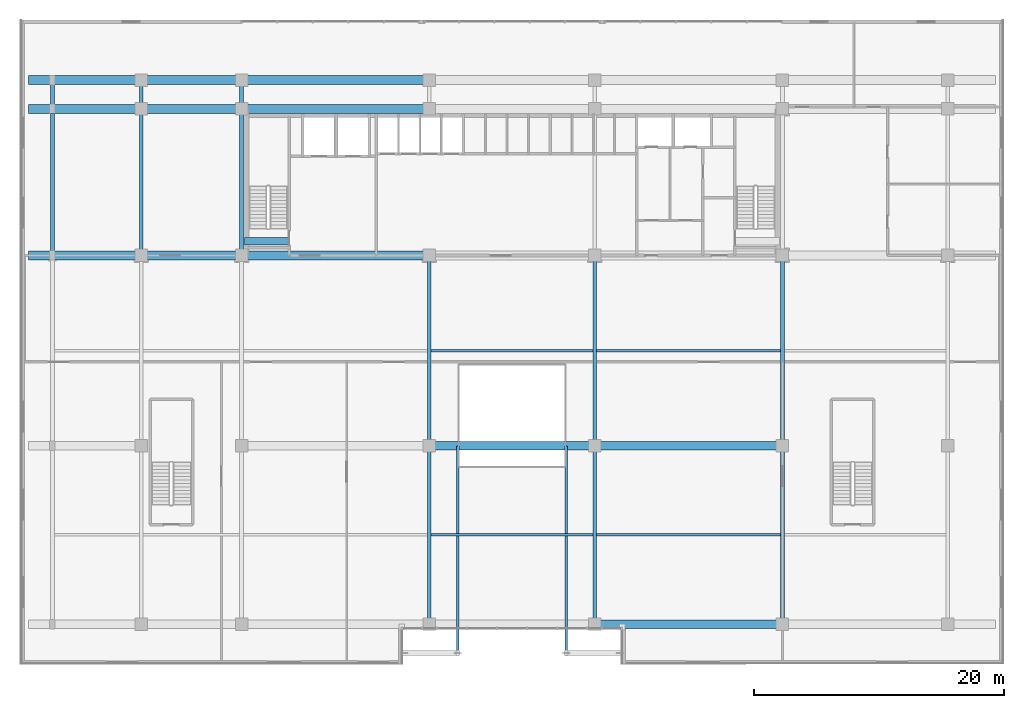
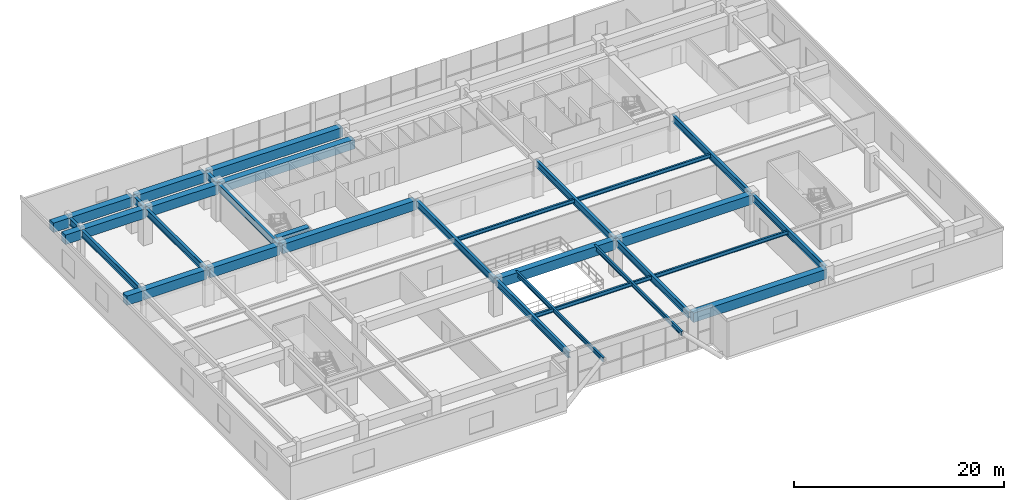
# One storey, part 5 of 21: 31 beams.
"""IFC4 building model written with IfcOpenShell, lengths in metres."""

import ifcopenshell
import ifcopenshell.guid

model = None  # the IFC model being written
_history = None  # IfcOwnerHistory: only IFC2X3 demands one
_inside = {}  # id of a spatial element -> (the spatial element, [elements in it])
_under = {}  # id of a project, library or spatial element -> (it, [spatial elements below it])
_declared = {}  # id of a project -> (the project, [libraries it declares])
_typed = {}  # id of a type object -> (the type object, [elements of that type])
_made_of = {}  # id of a material, layer set ... -> (it, [elements and type objects made of it])


def new_model(schema):
    """Start an empty IFC model of exactly this schema.

    Asked for "IFC4X3", IfcOpenShell would pick the latest addendum, in which some entities
    have other attributes; the version numbers below select the first issue.
    IFC2X3 requires an IfcOwnerHistory on every rooted entity: one is made here for all.
    """
    global model, _history
    if schema == "IFC4X3":
        model = ifcopenshell.file(schema_version=(4, 3, 0, 0))
    else:
        model = ifcopenshell.file(schema=schema)
    _inside.clear()
    _under.clear()
    _declared.clear()
    _typed.clear()
    _made_of.clear()
    _history = None
    if model.schema == "IFC2X3":
        org = make("IfcOrganization", Name="unknown")
        user = make(
            "IfcPersonAndOrganization",
            ThePerson=make("IfcPerson", FamilyName="unknown"),
            TheOrganization=org,
        )
        app = make(
            "IfcApplication",
            ApplicationDeveloper=org,
            Version="unknown",
            ApplicationFullName="unknown",
            ApplicationIdentifier="unknown",
        )
        _history = make(
            "IfcOwnerHistory",
            OwningUser=user,
            OwningApplication=app,
            ChangeAction="ADDED",
            CreationDate=0,
        )
    return model


def make(cls, **values):
    """One entity of the class cls with the attributes given. An attribute that is None is left unset."""
    return model.create_entity(
        cls, **{name: value for name, value in values.items() if value is not None}
    )


def rooted(cls, **values):
    """An entity with a GlobalId (a new one), such as an element, a storey or a relation."""
    return make(cls, GlobalId=ifcopenshell.guid.new(), OwnerHistory=_history, **values)


def si_unit(unit_type, name, prefix=None):
    """IfcSIUnit, for example si_unit("LENGTHUNIT", "METRE", prefix="MILLI")."""
    return make("IfcSIUnit", UnitType=unit_type, Prefix=prefix, Name=name)


def assignment(units):
    """IfcUnitAssignment: the units of a project."""
    return None if units is None else make("IfcUnitAssignment", Units=units)


def point(xyz):
    """IfcCartesianPoint."""
    return None if xyz is None else make("IfcCartesianPoint", Coordinates=xyz)


def direction(xyz):
    """IfcDirection."""
    return None if xyz is None else make("IfcDirection", DirectionRatios=xyz)


def frame(location, z_axis=None, x_axis=None):
    """IfcAxis2Placement3D, a coordinate frame: its origin and axes. An axis left out is left unset."""
    return make(
        "IfcAxis2Placement3D",
        Location=point(location),
        Axis=direction(z_axis),
        RefDirection=direction(x_axis),
    )


def frame_2d(location, x_axis=None):
    """IfcAxis2Placement2D, a coordinate frame in the plane: its origin and x axis."""
    return make(
        "IfcAxis2Placement2D", Location=point(location), RefDirection=direction(x_axis)
    )


def origin():
    """The frame at (0, 0, 0) with its axes left unset."""
    return frame((0.0, 0.0, 0.0))


def origin_2d():
    """The frame at (0, 0) in the plane with its x axis left unset."""
    return frame_2d((0.0, 0.0))


def place(relative_to, where):
    """IfcLocalPlacement: puts the frame where relative to a parent placement (None: the world)."""
    return make(
        "IfcLocalPlacement", PlacementRelTo=relative_to, RelativePlacement=where
    )


def context(
    kind, dimensions, precision=None, world=None, true_north=None, identifier=None
):
    """IfcGeometricRepresentationContext, for example the 3D "Model" context."""
    return make(
        "IfcGeometricRepresentationContext",
        ContextIdentifier=identifier,
        ContextType=kind,
        CoordinateSpaceDimension=dimensions,
        Precision=precision,
        WorldCoordinateSystem=world,
        TrueNorth=true_north,
    )


def subcontext(parent, identifier, kind, view, scale=None):
    """IfcGeometricRepresentationSubContext, for example "Body" below "Model"."""
    return make(
        "IfcGeometricRepresentationSubContext",
        ContextIdentifier=identifier,
        ContextType=kind,
        ParentContext=parent,
        TargetScale=scale,
        TargetView=view,
    )


def project(units=None, contexts=None):
    """IfcProject with its units and contexts."""
    return rooted(
        "IfcProject",
        Name="project",
        RepresentationContexts=contexts,
        UnitsInContext=assignment(units),
    )


def spatial(cls, under=None, at=None, **own):
    """A site, building, storey or space (cls), placed at a placement, below another one or the project."""
    s = rooted(cls, ObjectPlacement=at, **own)
    if under is not None:
        _under.setdefault(under.id(), (under, []))[1].append(s)
    return s


def profile(cls, at=None, kind="AREA", **sizes):
    """A parametric profile (cls). Its sizes go by their IFC names, for example OverallWidth=200.0."""
    return make(cls, ProfileType=kind, Position=at, **sizes)


def rectangle(**sizes):
    """IfcRectangleProfileDef."""
    return profile("IfcRectangleProfileDef", **sizes)


def i_section(**sizes):
    """IfcIShapeProfileDef."""
    return profile("IfcIShapeProfileDef", **sizes)


def extrude(swept, where, along, depth):
    """IfcExtrudedAreaSolid: the profile swept, set in the frame where, extruded along a direction by depth."""
    return make(
        "IfcExtrudedAreaSolid",
        SweptArea=swept,
        Position=where,
        ExtrudedDirection=direction(along),
        Depth=depth,
    )


def shape(context_of_items, identifier, shape_type, items):
    """IfcShapeRepresentation: the items that make up one representation, for example the "Body"."""
    return make(
        "IfcShapeRepresentation",
        ContextOfItems=context_of_items,
        RepresentationIdentifier=identifier,
        RepresentationType=shape_type,
        Items=items,
    )


def source(mapping_origin, context_of_items, identifier, shape_type, items):
    """IfcRepresentationMap: a shape defined once, which mapped items show again and again."""
    return make(
        "IfcRepresentationMap",
        MappingOrigin=mapping_origin,
        MappedRepresentation=shape(context_of_items, identifier, shape_type, items),
    )


def transform(
    local_origin,
    x_axis=None,
    y_axis=None,
    z_axis=None,
    scale=None,
    scale2=None,
    scale3=None,
    uniform=True,
):
    """IfcCartesianTransformationOperator3D, or its non-uniform kind. x_axis, y_axis, z_axis: its Axis1, 2, 3."""
    if uniform:
        return make(
            "IfcCartesianTransformationOperator3D",
            Axis1=direction(x_axis),
            Axis2=direction(y_axis),
            LocalOrigin=point(local_origin),
            Scale=scale,
            Axis3=direction(z_axis),
        )
    return make(
        "IfcCartesianTransformationOperator3DnonUniform",
        Axis1=direction(x_axis),
        Axis2=direction(y_axis),
        LocalOrigin=point(local_origin),
        Scale=scale,
        Axis3=direction(z_axis),
        Scale2=scale2,
        Scale3=scale3,
    )


def mapped(mapping_source, mapping_target):
    """IfcMappedItem: shows the shape of a source again, moved by a transform."""
    return make(
        "IfcMappedItem", MappingSource=mapping_source, MappingTarget=mapping_target
    )


def material(Name=None, Category=None):
    """IfcMaterial."""
    return make("IfcMaterial", Name=Name, Category=Category)


def material_profile(
    of_material, cross_section, Name=None, Category=None, Priority=None
):
    """IfcMaterialProfile: a cross section and its material."""
    return make(
        "IfcMaterialProfile",
        Name=Name,
        Material=of_material,
        Profile=cross_section,
        Priority=Priority,
        Category=Category,
    )


def profile_set(profiles, Name=None, composite=None):
    """IfcMaterialProfileSet."""
    return make(
        "IfcMaterialProfileSet",
        Name=Name,
        MaterialProfiles=profiles,
        CompositeProfile=composite,
    )


def made_of(thing, what):
    """Note that an element or type object is made of a material, layer set ...; save() writes the relation."""
    if what is not None:
        _made_of.setdefault(what.id(), (what, []))[1].append(thing)
    return thing


def type_object(cls, material=None, **own):
    """A type object (cls), such as IfcWallType, which elements share."""
    return made_of(rooted(cls, **own), material)


def element(
    cls,
    number,
    at=None,
    inside=None,
    cuts=None,
    type_object=None,
    material=None,
    context=None,
    identifier="Body",
    shape_type=None,
    held_by="IfcProductDefinitionShape",
    body=None,
    shapes=None,
    **own,
):
    """One element of the class cls, such as IfcWall. Its Tag is "e" and its number.

    at: its placement. inside: the storey or other place that contains it. cuts: it is an
    opening in that element (IfcRelVoidsElement). A single representation is given by context,
    identifier, shape_type and body (its items); several are given by shapes. held_by: the class
    of the entity that holds the representations. save() writes the other relations.
    """
    e = rooted(cls, Tag="e%d" % number, ObjectPlacement=at, **own)
    if body is not None:
        shapes = [shape(context, identifier, shape_type, body)]
    if shapes is not None:
        e.Representation = make(held_by, Representations=shapes)
    if inside is not None:
        _inside.setdefault(inside.id(), (inside, []))[1].append(e)
    if cuts is not None:
        rooted(
            "IfcRelVoidsElement", RelatingBuildingElement=cuts, RelatedOpeningElement=e
        )
    if type_object is not None:
        _typed.setdefault(type_object.id(), (type_object, []))[1].append(e)
    return made_of(e, material)


def aggregate(whole, parts):
    """IfcRelAggregates: a whole, such as a stair, and the parts it consists of."""
    return rooted("IfcRelAggregates", RelatingObject=whole, RelatedObjects=parts)


def save(model, path):
    """Write the relations noted so far, then the file.

    IfcRelAggregates (storeys below a building ...), IfcRelContainedInSpatialStructure (elements
    in a storey), IfcRelDefinesByType, IfcRelAssociatesMaterial and IfcRelDeclares: one each for
    every whole, place, type object, material and project.
    """
    for whole, parts in _under.values():
        aggregate(whole, parts)
    for where, things in _inside.values():
        rooted(
            "IfcRelContainedInSpatialStructure",
            RelatedElements=things,
            RelatingStructure=where,
        )
    for kind, things in _typed.values():
        rooted("IfcRelDefinesByType", RelatedObjects=things, RelatingType=kind)
    for what, things in _made_of.values():
        rooted("IfcRelAssociatesMaterial", RelatedObjects=things, RelatingMaterial=what)
    for by, libraries in _declared.values():
        rooted("IfcRelDeclares", RelatingContext=by, RelatedDefinitions=libraries)
    model.write(path)


model = new_model("IFC4")

# Units and contexts
model_context = context("Model", 3, precision=1e-05, world=origin(), true_north=direction((0.0, 1.0)))
body_context = subcontext(model_context, "Body", "Model", "MODEL_VIEW")
ifc_project = project(units=[si_unit("LENGTHUNIT", "METRE"), si_unit("AREAUNIT", "SQUARE_METRE"), si_unit("VOLUMEUNIT", "CUBIC_METRE"), si_unit("PLANEANGLEUNIT", "RADIAN"), si_unit("MASSUNIT", "GRAM", prefix="KILO")], contexts=[model_context])

# Site, building, storey
site_placement = place(None, origin())
site = spatial("IfcSite", under=ifc_project, at=site_placement, CompositionType="ELEMENT")
building_placement = place(site_placement, origin())
building = spatial("IfcBuilding", under=site, at=building_placement, Name="Trelvane Seafront Commons", CompositionType="ELEMENT")
storey_placement = place(building_placement, frame((0.0, 0.0, 14.199951171875)))
storey = spatial("IfcBuildingStorey", under=building, at=storey_placement, Name="L03", CompositionType="ELEMENT", Elevation=14.199951171875)

# Beams
ifc_material_1 = material(Name="Concrete C60/75", Category="concrete")
ifc_material_profile_1 = material_profile(ifc_material_1, rectangle(XDim=0.60009765625, YDim=0.89990234375, at=origin_2d()), Name="RC-600x900")
ifc_profile_set_1 = profile_set([ifc_material_profile_1], Name="Concrete C60/75")
beam_type_1 = type_object("IfcBeamType", Name="STR-LNT-RC600x900", PredefinedType="LINTEL", material=ifc_profile_set_1)
shared_shape_1 = source(origin(), body_context, "Body", "SweptSolid", [
    extrude(rectangle(XDim=0.60009765625, YDim=0.89990234375, at=origin_2d()), origin(), (0.0, 0.0, 1.0), 3.5498046875),
])
beam_1_placement = place(storey_placement, frame((15.85009765625, 34.550048828125, 3.699951171875), z_axis=(1.0, 0.0, 0.0), x_axis=(0.0, 1.0, 0.0)))
element("IfcBeam", 1, at=beam_1_placement, inside=storey, type_object=beam_type_1, Name="L03 Core Coupling Lintel Beam CB-71", PredefinedType="LINTEL", context=body_context, shape_type="MappedRepresentation", body=[
    mapped(shared_shape_1, transform((0.0, 0.0, 0.0), x_axis=(1.0, 0.0, 0.0), y_axis=(0.0, 1.0, 0.0), z_axis=(0.0, 0.0, 1.0), scale=1.0)),
])
ifc_material_2 = material(Name="Concrete C50/60", Category="concrete")
ifc_material_profile_2 = material_profile(ifc_material_2, rectangle(XDim=0.699951171875, YDim=1.10009765625, at=origin_2d()), Name="RC-700x1100")
ifc_profile_set_2 = profile_set([ifc_material_profile_2], Name="Concrete C50/60")
beam_type_2 = type_object("IfcBeamType", Name="STR-TBM-RC700x1100", PredefinedType="T_BEAM", material=ifc_profile_set_2)
shared_shape_2 = source(origin(), body_context, "Body", "SweptSolid", [
    extrude(rectangle(XDim=0.699951171875, YDim=1.10009765625, at=origin_2d()), origin(), (0.0, 0.0, 1.0), 7.699951171875),
])
for number, where, z_axis, x_axis, name in (
    (2, (7.75, 33.39990234375, 3.60009765625), (1.0, 0.0, 0.0), (0.0, 1.0, 0.0), "L03 Primary Girder G-14"),
    (3, (7.75, 45.10009765625, 3.60009765625), (1.0, 0.0, 0.0), (0.0, 1.0, 0.0), "L03 Primary Girder G-20"),
    (4, (7.75, 47.39990234375, 3.60009765625), (1.0, 0.0, 0.0), (0.0, 1.0, 0.0), "L03 Primary Girder G-26"),
):
    element("IfcBeam", number, at=place(storey_placement, frame(where, z_axis=z_axis, x_axis=x_axis)), inside=storey, type_object=beam_type_2, Name=name, PredefinedType="T_BEAM", context=body_context, shape_type="MappedRepresentation", body=[
        mapped(shared_shape_2, transform((0.0, 0.0, 0.0), x_axis=(1.0, 0.0, 0.0), y_axis=(0.0, 1.0, 0.0), z_axis=(0.0, 0.0, 1.0), scale=1.0)),
    ])
shared_shape_3 = source(origin(), body_context, "Body", "SweptSolid", [
    extrude(rectangle(XDim=0.699951171875, YDim=1.10009765625, at=origin_2d()), origin(), (0.0, 0.0, 1.0), 14.699951171875),
])
for number, where, z_axis, x_axis, name in (
    (5, (43.949951171875, 3.949951171875, 3.60009765625), (1.0, 0.0, 0.0), (0.0, 1.0, 0.0), "L03 Primary Girder G-05"),
    (6, (43.949951171875, 18.199951171875, 3.60009765625), (1.0, 0.0, 0.0), (0.0, 1.0, 0.0), "L03 Primary Girder G-11"),
    (7, (15.75, 33.39990234375, 3.60009765625), (1.0, 0.0, 0.0), (0.0, 1.0, 0.0), "L03 Primary Girder G-15"),
    (8, (15.75, 45.10009765625, 3.60009765625), (1.0, 0.0, 0.0), (0.0, 1.0, 0.0), "L03 Primary Girder G-21"),
    (9, (15.75, 47.39990234375, 3.60009765625), (1.0, 0.0, 0.0), (0.0, 1.0, 0.0), "L03 Primary Girder G-27"),
):
    element("IfcBeam", number, at=place(storey_placement, frame(where, z_axis=z_axis, x_axis=x_axis)), inside=storey, type_object=beam_type_2, Name=name, PredefinedType="T_BEAM", context=body_context, shape_type="MappedRepresentation", body=[
        mapped(shared_shape_3, transform((0.0, 0.0, 0.0), x_axis=(1.0, 0.0, 0.0), y_axis=(0.0, 1.0, 0.0), z_axis=(0.0, 0.0, 1.0), scale=1.0)),
    ])
shared_shape_4 = source(origin(), body_context, "Body", "SweptSolid", [
    extrude(rectangle(XDim=0.699951171875, YDim=1.10009765625, at=origin_2d()), origin(), (0.0, 0.0, 1.0), 12.89990234375),
])
beam_2_placement = place(storey_placement, frame((30.75, 18.199951171875, 3.60009765625), z_axis=(1.0, 0.0, 0.0), x_axis=(0.0, 1.0, 0.0)))
element("IfcBeam", 10, at=beam_2_placement, inside=storey, type_object=beam_type_2, Name="L03 Primary Girder G-10", PredefinedType="T_BEAM", context=body_context, shape_type="MappedRepresentation", body=[
    mapped(shared_shape_4, transform((0.0, 0.0, 0.0), x_axis=(1.0, 0.0, 0.0), y_axis=(0.0, 1.0, 0.0), z_axis=(0.0, 0.0, 1.0), scale=1.0)),
])
ifc_material_3 = material(Name="Steel SM355 (S355)", Category="steel")
ifc_material_profile_3 = material_profile(ifc_material_3, i_section(OverallWidth=0.300048828125, OverallDepth=0.800048828125, WebThickness=0.013916015625, FlangeThickness=0.02587890625, at=origin_2d()), Name="H-800x300x14x26")
ifc_profile_set_3 = profile_set([ifc_material_profile_3], Name="Steel SM355 (S355)")
beam_type_3 = type_object("IfcBeamType", Name="STR-BM-H800", PredefinedType="BEAM", material=ifc_profile_set_3)
shared_shape_5 = source(origin(), body_context, "Body", "SweptSolid", [
    extrude(i_section(OverallWidth=0.300048828125, OverallDepth=0.800048828125, WebThickness=0.013916015625, FlangeThickness=0.02587890625, at=origin_2d()), origin(), (0.0, 0.0, 1.0), 13.949951171875),
])
for number, where, z_axis, x_axis, name in (
    (11, (30.60009765625, 4.10009765625, 3.75), (0.0, 1.0, 0.0), (-1.0, 0.0, 0.0), "L03 Primary Girder G-43"),
    (12, (43.800048828125, 4.10009765625, 3.75), (0.0, 1.0, 0.0), (-1.0, 0.0, 0.0), "L03 Primary Girder G-47"),
    (13, (58.800048828125, 4.10009765625, 3.75), (0.0, 1.0, 0.0), (-1.0, 0.0, 0.0), "L03 Primary Girder G-51"),
):
    element("IfcBeam", number, at=place(storey_placement, frame(where, z_axis=z_axis, x_axis=x_axis)), inside=storey, type_object=beam_type_3, Name=name, PredefinedType="BEAM", context=body_context, shape_type="MappedRepresentation", body=[
        mapped(shared_shape_5, transform((0.0, 0.0, 0.0), x_axis=(1.0, 0.0, 0.0), y_axis=(0.0, 1.0, 0.0), z_axis=(0.0, 0.0, 1.0), scale=1.0)),
    ])
shared_shape_6 = source(origin(), body_context, "Body", "SweptSolid", [
    extrude(i_section(OverallWidth=0.300048828125, OverallDepth=0.800048828125, WebThickness=0.013916015625, FlangeThickness=0.02587890625, at=origin_2d()), origin(), (0.0, 0.0, 1.0), 14.89990234375),
])
for number, where, z_axis, x_axis, name in (
    (14, (30.60009765625, 18.35009765625, 3.75), (0.0, 1.0, 0.0), (-1.0, 0.0, 0.0), "L03 Primary Girder G-44"),
    (15, (43.800048828125, 18.35009765625, 3.75), (0.0, 1.0, 0.0), (-1.0, 0.0, 0.0), "L03 Primary Girder G-48"),
    (16, (58.800048828125, 18.35009765625, 3.75), (0.0, 1.0, 0.0), (-1.0, 0.0, 0.0), "L03 Primary Girder G-52"),
):
    element("IfcBeam", number, at=place(storey_placement, frame(where, z_axis=z_axis, x_axis=x_axis)), inside=storey, type_object=beam_type_3, Name=name, PredefinedType="BEAM", context=body_context, shape_type="MappedRepresentation", body=[
        mapped(shared_shape_6, transform((0.0, 0.0, 0.0), x_axis=(1.0, 0.0, 0.0), y_axis=(0.0, 1.0, 0.0), z_axis=(0.0, 0.0, 1.0), scale=1.0)),
    ])
shared_shape_7 = source(origin(), body_context, "Body", "SweptSolid", [
    extrude(i_section(OverallWidth=0.300048828125, OverallDepth=0.800048828125, WebThickness=0.013916015625, FlangeThickness=0.02587890625, at=origin_2d()), origin(), (0.0, 0.0, 1.0), 11.39990234375),
])
for number, where, z_axis, x_axis, name in (
    (17, (0.5, 33.550048828125, 3.75), (0.0, 1.0, 0.0), (-1.0, 0.0, 0.0), "L03 Primary Girder G-33"),
    (18, (7.60009765625, 33.550048828125, 3.75), (0.0, 1.0, 0.0), (-1.0, 0.0, 0.0), "L03 Primary Girder G-37"),
    (19, (15.60009765625, 33.550048828125, 3.75), (0.0, 1.0, 0.0), (-1.0, 0.0, 0.0), "L03 Primary Girder G-41"),
):
    element("IfcBeam", number, at=place(storey_placement, frame(where, z_axis=z_axis, x_axis=x_axis)), inside=storey, type_object=beam_type_3, Name=name, PredefinedType="BEAM", context=body_context, shape_type="MappedRepresentation", body=[
        mapped(shared_shape_7, transform((0.0, 0.0, 0.0), x_axis=(1.0, 0.0, 0.0), y_axis=(0.0, 1.0, 0.0), z_axis=(0.0, 0.0, 1.0), scale=1.0)),
    ])
shared_shape_8 = source(origin(), body_context, "Body", "SweptSolid", [
    extrude(i_section(OverallWidth=0.300048828125, OverallDepth=0.800048828125, WebThickness=0.013916015625, FlangeThickness=0.02587890625, at=origin_2d()), origin(), (0.0, 0.0, 1.0), 2.0),
])
for number, where, z_axis, x_axis, name in (
    (20, (0.5, 45.25, 3.75), (0.0, 1.0, 0.0), (-1.0, 0.0, 0.0), "L03 Primary Girder G-34"),
    (21, (7.60009765625, 45.25, 3.75), (0.0, 1.0, 0.0), (-1.0, 0.0, 0.0), "L03 Primary Girder G-38"),
    (22, (15.60009765625, 45.25, 3.75), (0.0, 1.0, 0.0), (-1.0, 0.0, 0.0), "L03 Primary Girder G-42"),
):
    element("IfcBeam", number, at=place(storey_placement, frame(where, z_axis=z_axis, x_axis=x_axis)), inside=storey, type_object=beam_type_3, Name=name, PredefinedType="BEAM", context=body_context, shape_type="MappedRepresentation", body=[
        mapped(shared_shape_8, transform((0.0, 0.0, 0.0), x_axis=(1.0, 0.0, 0.0), y_axis=(0.0, 1.0, 0.0), z_axis=(0.0, 0.0, 1.0), scale=1.0)),
    ])
ifc_material_profile_4 = material_profile(ifc_material_3, i_section(OverallWidth=0.199951171875, OverallDepth=0.449951171875, WebThickness=0.009033203125, FlangeThickness=0.013916015625, at=origin_2d()), Name="H-450x200x9x14")
ifc_profile_set_4 = profile_set([ifc_material_profile_4], Name="Steel SM355 (S355)")
beam_type_4 = type_object("IfcBeamType", Name="STR-JST-H450", PredefinedType="JOIST", material=ifc_profile_set_4)
shared_shape_9 = source(origin(), body_context, "Body", "SweptSolid", [
    extrude(i_section(OverallWidth=0.199951171875, OverallDepth=0.449951171875, WebThickness=0.009033203125, FlangeThickness=0.013916015625, at=origin_2d()), origin(), (0.0, 0.0, 1.0), 14.699951171875),
])
for number, where, z_axis, x_axis, name in (
    (23, (43.949951171875, 11.074951171875, 3.925048828125), (1.0, 0.0, 0.0), (0.0, 1.0, 0.0), "L03 Secondary Floor Joist B-63"),
    (24, (43.949951171875, 25.800048828125, 3.925048828125), (1.0, 0.0, 0.0), (0.0, 1.0, 0.0), "L03 Secondary Floor Joist B-69"),
):
    element("IfcBeam", number, at=place(storey_placement, frame(where, z_axis=z_axis, x_axis=x_axis)), inside=storey, type_object=beam_type_4, Name=name, PredefinedType="JOIST", context=body_context, shape_type="MappedRepresentation", body=[
        mapped(shared_shape_9, transform((0.0, 0.0, 0.0), x_axis=(1.0, 0.0, 0.0), y_axis=(0.0, 1.0, 0.0), z_axis=(0.0, 0.0, 1.0), scale=1.0)),
    ])
shared_shape_10 = source(origin(), body_context, "Body", "SweptSolid", [
    extrude(i_section(OverallWidth=0.199951171875, OverallDepth=0.449951171875, WebThickness=0.009033203125, FlangeThickness=0.013916015625, at=origin_2d()), origin(), (0.0, 0.0, 1.0), 12.89990234375),
])
for number, where, z_axis, x_axis, name in (
    (25, (30.75, 11.074951171875, 3.925048828125), (1.0, 0.0, 0.0), (0.0, 1.0, 0.0), "L03 Secondary Floor Joist B-62"),
    (26, (30.75, 25.800048828125, 3.925048828125), (1.0, 0.0, 0.0), (0.0, 1.0, 0.0), "L03 Secondary Floor Joist B-68"),
):
    element("IfcBeam", number, at=place(storey_placement, frame(where, z_axis=z_axis, x_axis=x_axis)), inside=storey, type_object=beam_type_4, Name=name, PredefinedType="JOIST", context=body_context, shape_type="MappedRepresentation", body=[
        mapped(shared_shape_10, transform((0.0, 0.0, 0.0), x_axis=(1.0, 0.0, 0.0), y_axis=(0.0, 1.0, 0.0), z_axis=(0.0, 0.0, 1.0), scale=1.0)),
    ])
ifc_material_profile_5 = material_profile(ifc_material_3, i_section(OverallWidth=0.199951171875, OverallDepth=0.5, WebThickness=0.010009765625, FlangeThickness=0.01611328125, at=origin_2d()), Name="H-500x200x10x16")
ifc_profile_set_5 = profile_set([ifc_material_profile_5], Name="Steel SM355 (S355)")
beam_type_5 = type_object("IfcBeamType", Name="STR-BM-H500", PredefinedType="BEAM", material=ifc_profile_set_5)
shared_shape_11 = source(origin(), body_context, "Body", "SweptSolid", [
    extrude(i_section(OverallWidth=0.199951171875, OverallDepth=0.5, WebThickness=0.010009765625, FlangeThickness=0.01611328125, at=origin_2d()), origin(), (0.0, 0.0, 1.0), 16.64990234375),
])
for number, where, z_axis, x_axis, name in (
    (27, (32.8798828125, 18.199951171875, 3.900146484375), (0.0, -1.0, 0.0), (1.0, 0.0, 0.0), "L03 Inverted-V Portal Tie Cantilever Girder G-73"),
    (28, (41.52001953125, 18.199951171875, 3.900146484375), (0.0, -1.0, 0.0), (1.0, 0.0, 0.0), "L03 Inverted-V Portal Tie Cantilever Girder G-74"),
):
    element("IfcBeam", number, at=place(storey_placement, frame(where, z_axis=z_axis, x_axis=x_axis)), inside=storey, type_object=beam_type_5, Name=name, PredefinedType="BEAM", context=body_context, shape_type="MappedRepresentation", body=[
        mapped(shared_shape_11, transform((0.0, 0.0, 0.0), x_axis=(1.0, 0.0, 0.0), y_axis=(0.0, 1.0, 0.0), z_axis=(0.0, 0.0, 1.0), scale=1.0)),
    ])
shared_shape_12 = source(origin(), body_context, "Body", "SweptSolid", [
    extrude(rectangle(XDim=0.699951171875, YDim=1.10009765625, at=origin_2d()), origin(), (0.0, 0.0, 1.0), 8.849853515625),
])
for number, where, z_axis, x_axis, name in (
    (29, (-1.39990234375, 33.39990234375, 3.60009765625), (1.0, 0.0, 0.0), (0.0, 1.0, 0.0), "L03 Primary Girder G-13"),
    (30, (-1.39990234375, 45.10009765625, 3.60009765625), (1.0, 0.0, 0.0), (0.0, 1.0, 0.0), "L03 Primary Girder G-19"),
    (31, (-1.39990234375, 47.39990234375, 3.60009765625), (1.0, 0.0, 0.0), (0.0, 1.0, 0.0), "L03 Primary Girder G-25"),
):
    element("IfcBeam", number, at=place(storey_placement, frame(where, z_axis=z_axis, x_axis=x_axis)), inside=storey, type_object=beam_type_2, Name=name, PredefinedType="T_BEAM", context=body_context, shape_type="MappedRepresentation", body=[
        mapped(shared_shape_12, transform((0.0, 0.0, 0.0), x_axis=(1.0, 0.0, 0.0), y_axis=(0.0, 1.0, 0.0), z_axis=(0.0, 0.0, 1.0), scale=1.0)),
    ])

save(model, "model.ifc")
